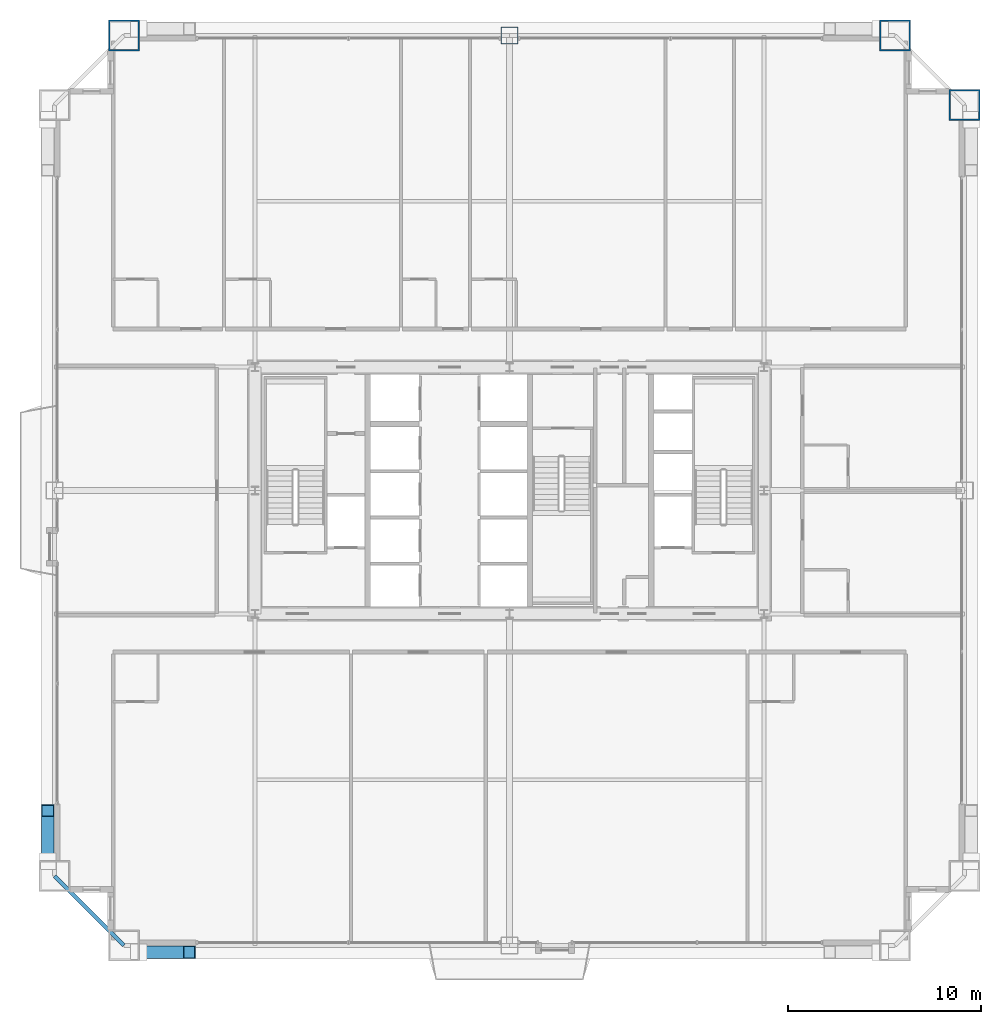
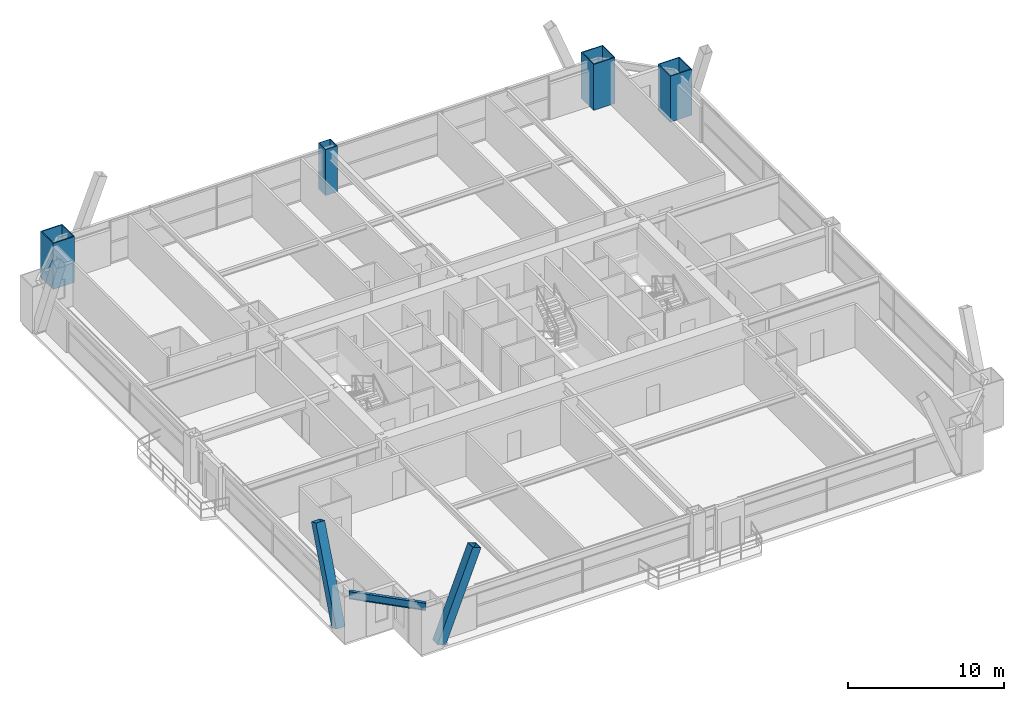
# One storey, part 2 of 41: 4 columns, 2 members, 1 beam.
"""IFC4 building model written with IfcOpenShell, lengths in metres."""

from ifc_helpers import new_model, si_unit, direction, frame, origin, origin_2d, place, context, subcontext, project, spatial, hollow_rectangle, i_section, extrude, source, transform, mapped, material, material_profile, profile_set, type_object, element, save


model = new_model("IFC4")

# Units and contexts
model_context = context("Model", 3, precision=1e-05, world=origin(), true_north=direction((0.0, 1.0)))
body_context = subcontext(model_context, "Body", "Model", "MODEL_VIEW")
ifc_project = project(units=[si_unit("LENGTHUNIT", "METRE"), si_unit("AREAUNIT", "SQUARE_METRE"), si_unit("VOLUMEUNIT", "CUBIC_METRE"), si_unit("PLANEANGLEUNIT", "RADIAN"), si_unit("MASSUNIT", "GRAM", prefix="KILO"), si_unit("THERMODYNAMICTEMPERATUREUNIT", "KELVIN"), si_unit("POWERUNIT", "WATT")], contexts=[model_context])

# Site, building, storey
site_placement = place(None, origin())
site = spatial("IfcSite", under=ifc_project, at=site_placement, CompositionType="ELEMENT")
building_placement = place(site_placement, origin())
building = spatial("IfcBuilding", under=site, at=building_placement, Name="Yuzanri Waterfront Tower", CompositionType="ELEMENT")
storey_placement = place(building_placement, frame((0.0, 0.0, 115.39990234375)))
storey = spatial("IfcBuildingStorey", under=building, at=storey_placement, Name="L30", CompositionType="ELEMENT", Elevation=115.39990234375)

# Columns
ifc_material_1 = material(Name="Steel Q390GJC", Category="steel")
ifc_material_profile_1 = material_profile(ifc_material_1, hollow_rectangle(XDim=0.89990234375, YDim=0.89990234375, WallThickness=0.0419921875, at=origin_2d()), Name="RHS 900x900x42")
ifc_profile_set_1 = profile_set([ifc_material_profile_1], Name="Steel Q390GJC")
column_type_1 = type_object("IfcColumnType", Name="Frame Column Q390GJC RHS 900x900x42", PredefinedType="COLUMN", material=ifc_profile_set_1)
shared_shape_1 = source(origin(), body_context, "Body", "SweptSolid", [
    extrude(hollow_rectangle(XDim=0.89990234375, YDim=0.89990234375, WallThickness=0.0419921875, at=origin_2d()), origin(), (0.0, 0.0, 1.0), 3.60009765625),
])
column_placement = place(storey_placement, frame((37.0, 49.39990234375, 0.0), z_axis=(0.0, 0.0, 1.0), x_axis=(1.0, 0.0, 0.0)))
element("IfcColumn", 1, at=column_placement, inside=storey, type_object=column_type_1, Name="L30 Perimeter Frame Column N2", PredefinedType="COLUMN", context=body_context, shape_type="MappedRepresentation", body=[
    mapped(shared_shape_1, transform((0.0, 0.0, 0.0), scale=1.0)),
])
ifc_material_2 = material(Name="Steel Q420GJC", Category="steel")
ifc_material_profile_2 = material_profile(ifc_material_2, hollow_rectangle(XDim=1.60009765625, YDim=1.60009765625, WallThickness=0.070068359375, at=origin_2d()), Name="RHS 1600x1600x70")
ifc_profile_set_2 = profile_set([ifc_material_profile_2], Name="Steel Q420GJC")
column_type_2 = type_object("IfcColumnType", Name="Mega Column Q420GJC RHS 1600x1600x70", PredefinedType="COLUMN", material=ifc_profile_set_2)
shared_shape_2 = source(origin(), body_context, "Body", "SweptSolid", [
    extrude(hollow_rectangle(XDim=1.60009765625, YDim=1.60009765625, WallThickness=0.070068359375, at=origin_2d()), origin(), (0.0, 0.0, 1.0), 3.60009765625),
])
for number, where, z_axis, x_axis, name in (
    (2, (17.0, 49.39990234375, 0.0), (0.0, 0.0, 1.0), (1.0, 0.0, 0.0), "L30 Perimeter Mega Column N1"),
    (3, (57.0, 49.39990234375, 0.0), (0.0, 0.0, 1.0), (1.0, 0.0, 0.0), "L30 Perimeter Mega Column N3"),
    (4, (60.60009765625, 45.800048828125, 0.0), (0.0, 0.0, 1.0), (1.0, 0.0, 0.0), "L30 Perimeter Mega Column E3"),
):
    element("IfcColumn", number, at=place(storey_placement, frame(where, z_axis=z_axis, x_axis=x_axis)), inside=storey, type_object=column_type_2, Name=name, PredefinedType="COLUMN", context=body_context, shape_type="MappedRepresentation", body=[
        mapped(shared_shape_2, transform((0.0, 0.0, 0.0), scale=1.0)),
    ])

# Beam
ifc_material_3 = material(Name="Steel Q355B", Category="steel")
ifc_material_profile_3 = material_profile(ifc_material_3, i_section(OverallWidth=0.199951171875, OverallDepth=0.60009765625, WebThickness=0.010986328125, FlangeThickness=0.01708984375, at=origin_2d()), Name="HN 600x200x11x17")
ifc_profile_set_3 = profile_set([ifc_material_profile_3], Name="Steel Q355B")
beam_type = type_object("IfcBeamType", Name="Perimeter Spandrel Q355B HN 600x200", PredefinedType="SPANDREL", material=ifc_profile_set_3)
shared_shape_3 = source(origin(), body_context, "Body", "SweptSolid", [
    extrude(i_section(OverallWidth=0.199951171875, OverallDepth=0.60009765625, WebThickness=0.010986328125, FlangeThickness=0.01708984375, at=origin_2d()), origin(), (0.0, 0.0, 1.0), 5.09130859375),
])
beam_placement = place(storey_placement, frame((13.39990234375, 5.800048828125, 3.080078125), z_axis=(0.707106781187, -0.707106781187, 0.0), x_axis=(0.707106781187, 0.707106781187, 0.0)))
element("IfcBeam", 5, at=beam_placement, inside=storey, type_object=beam_type, Name="L30 Perimeter Spandrel W1-S1", PredefinedType="SPANDREL", context=body_context, shape_type="MappedRepresentation", body=[
    mapped(shared_shape_3, transform((0.0, 0.0, 0.0), scale=1.0)),
])

# Members
ifc_material_4 = material(Name="Steel Q420GJC", Category="steel")
ifc_material_profile_4 = material_profile(ifc_material_4, hollow_rectangle(XDim=0.64990234375, YDim=0.64990234375, WallThickness=0.028076171875, at=origin_2d()), Name="RHS 650x650x28")
ifc_profile_set_4 = profile_set([ifc_material_profile_4], Name="Steel Q420GJC")
member_type = type_object("IfcMemberType", Name="Mega Brace Lower Q420GJC RHS 650x650x28", PredefinedType="BRACE", material=ifc_profile_set_4)
shared_shape_4 = source(origin(), body_context, "Body", "SweptSolid", [
    extrude(hollow_rectangle(XDim=0.64990234375, YDim=0.64990234375, WallThickness=0.028076171875, at=origin_2d()), origin(), (0.0, 0.0, 1.0), 7.19384765625),
])
for number, where, z_axis, x_axis, name in (
    (6, (17.780029296875, 1.860107421875, 0.18017578125), (0.36417668996, 0.0, 0.9313298763), (0.0, 1.0, 0.0), "L30-L31 Perimeter Mega-Brace S-L"),
    (7, (13.06005859375, 6.580078125, 0.18017578125), (0.0, 0.36417668996, 0.9313298763), (-1.0, 0.0, 0.0), "L30-L31 Perimeter Mega-Brace W-L"),
):
    element("IfcMember", number, at=place(storey_placement, frame(where, z_axis=z_axis, x_axis=x_axis)), inside=storey, type_object=member_type, Name=name, PredefinedType="BRACE", context=body_context, shape_type="MappedRepresentation", body=[
        mapped(shared_shape_4, transform((0.0, 0.0, 0.0), scale=1.0)),
    ])

save(model, "model.ifc")
